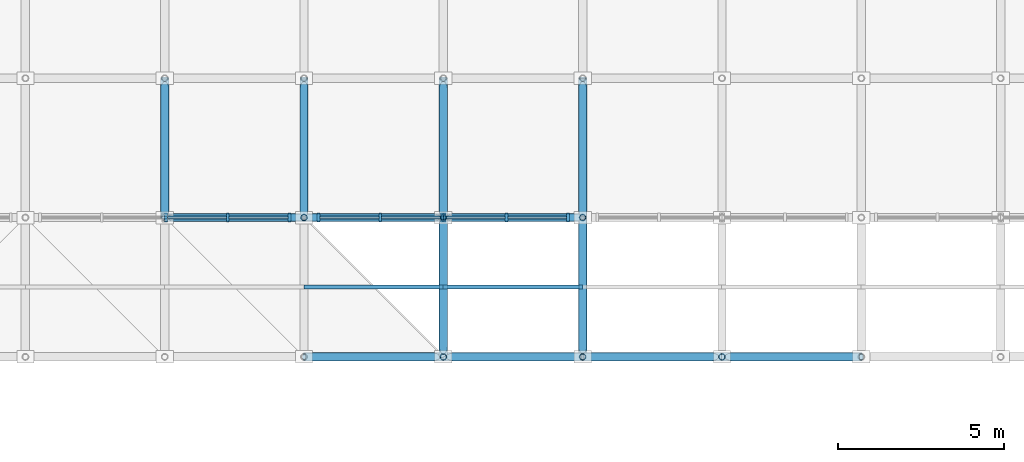
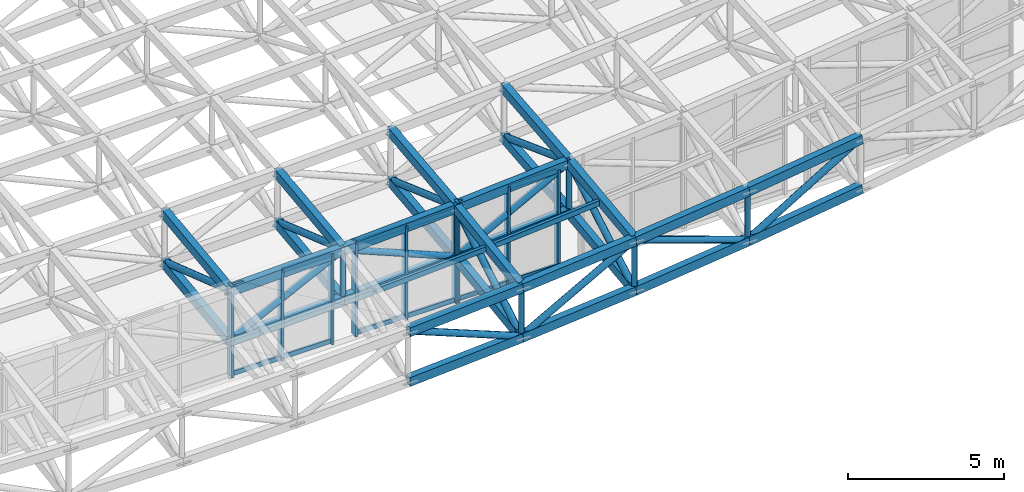
# One storey, part 40 of 111: 68 members, 3 elements without a shape of their own.
"""IFC4 building model written with IfcOpenShell, lengths in metres."""

from ifc_helpers import new_model, si_unit, direction, frame, origin, origin_2d, place, context, subcontext, project, spatial, rectangle, hollow_rectangle, hollow_circle, extrude, material, material_profile, profile_set, type_object, element, aggregate, save


model = new_model("IFC4")

# Units and contexts
model_context = context("Model", 3, precision=1e-05, world=origin(), true_north=direction((0.0, 1.0)))
body_context = subcontext(model_context, "Body", "Model", "MODEL_VIEW")
ifc_project = project(units=[si_unit("LENGTHUNIT", "METRE"), si_unit("AREAUNIT", "SQUARE_METRE"), si_unit("VOLUMEUNIT", "CUBIC_METRE"), si_unit("PLANEANGLEUNIT", "RADIAN"), si_unit("MASSUNIT", "GRAM", prefix="KILO")], contexts=[model_context])

# Site, building, storey
site_placement = place(None, origin())
site = spatial("IfcSite", under=ifc_project, at=site_placement, CompositionType="ELEMENT")
building_placement = place(site_placement, origin())
building = spatial("IfcBuilding", under=site, at=building_placement, Name="Cumbredor Promenade Congress Hotel", CompositionType="ELEMENT")
storey_placement = place(building_placement, frame((0.0, 0.0, 15.1201171875)))
storey = spatial("IfcBuildingStorey", under=building, at=storey_placement, Name="L04", CompositionType="ELEMENT", Elevation=15.1201171875)

# Curtain wall, members
ifc_material_1 = material(Name="Thermally broken anodized aluminium and low-E glass", Category="aluminium")
curtain_wall_type = type_object("IfcCurtainWallType", Name="Stepped Pavilion Clerestory Curtain Wall CW-06", PredefinedType="NOTDEFINED", material=ifc_material_1)
curtain_wall_1_placement = place(storey_placement, origin())
curtain_wall_1 = element("IfcCurtainWall", 1, at=curtain_wall_1_placement, inside=storey, type_object=curtain_wall_type, Name="Pre-Function and Breakout Meeting Forum S Glazed Clerestory 12", PredefinedType="NOTDEFINED")
ifc_material_2 = material(Name="Thermally broken anodized aluminium", Category="aluminium")
ifc_material_profile_1 = material_profile(ifc_material_2, rectangle(XDim=0.0849609375, YDim=0.260009765625, at=origin_2d()), Name="ALU MULLION CLERESTORY 85x260")
ifc_profile_set_1 = profile_set([ifc_material_profile_1], Name="Thermally broken anodized aluminium")
member_type_1 = type_object("IfcMemberType", Name="Curtain Wall Mullion ML-04", PredefinedType="MULLION", material=ifc_profile_set_1)
member_1_placement = place(storey_placement, frame((138.639892578125, 84.0, -0.01806640625), z_axis=(0.0, 0.0, 1.0), x_axis=(1.0, 0.0, 0.0)))
member_1 = element("IfcMember", 2, at=member_1_placement, type_object=member_type_1, Name="Pre-Function and Breakout Meeting Forum S Glazed Clerestory 12 Mullion 1", PredefinedType="MULLION", context=body_context, shape_type="SweptSolid", body=[
    extrude(rectangle(XDim=0.0849609375, YDim=0.260009765625, at=origin_2d()), origin(), (0.0, 0.0, 1.0), 3.5888671875),
])
member_2_placement = place(storey_placement, frame((140.5, 84.0, -0.01806640625), z_axis=(0.0, 0.0, 1.0), x_axis=(1.0, 0.0, 0.0)))
member_2 = element("IfcMember", 3, at=member_2_placement, type_object=member_type_1, Name="Pre-Function and Breakout Meeting Forum S Glazed Clerestory 12 Mullion 2", PredefinedType="MULLION", context=body_context, shape_type="SweptSolid", body=[
    extrude(rectangle(XDim=0.0849609375, YDim=0.260009765625, at=origin_2d()), origin(), (0.0, 0.0, 1.0), 3.5888671875),
])
member_3_placement = place(storey_placement, frame((142.360107421875, 84.0, -0.01806640625), z_axis=(0.0, 0.0, 1.0), x_axis=(1.0, 0.0, 0.0)))
member_3 = element("IfcMember", 4, at=member_3_placement, type_object=member_type_1, Name="Pre-Function and Breakout Meeting Forum S Glazed Clerestory 12 Mullion 3", PredefinedType="MULLION", context=body_context, shape_type="SweptSolid", body=[
    extrude(rectangle(XDim=0.0849609375, YDim=0.260009765625, at=origin_2d()), origin(), (0.0, 0.0, 1.0), 3.5888671875),
])

curtain_wall_2_placement = place(storey_placement, origin())
curtain_wall_2 = element("IfcCurtainWall", 5, at=curtain_wall_2_placement, inside=storey, type_object=curtain_wall_type, Name="Pre-Function and Breakout Meeting Forum S Glazed Clerestory 13", PredefinedType="NOTDEFINED")
member_4_placement = place(storey_placement, frame((143.239990234375, 84.0, -0.01806640625), z_axis=(0.0, 0.0, 1.0), x_axis=(1.0, 0.0, 0.0)))
member_4 = element("IfcMember", 6, at=member_4_placement, type_object=member_type_1, Name="Pre-Function and Breakout Meeting Forum S Glazed Clerestory 13 Mullion 1", PredefinedType="MULLION", context=body_context, shape_type="SweptSolid", body=[
    extrude(rectangle(XDim=0.0849609375, YDim=0.260009765625, at=origin_2d()), origin(), (0.0, 0.0, 1.0), 3.71533203125),
])
member_5_placement = place(storey_placement, frame((145.10009765625, 84.0, -0.01806640625), z_axis=(0.0, 0.0, 1.0), x_axis=(1.0, 0.0, 0.0)))
member_5 = element("IfcMember", 7, at=member_5_placement, type_object=member_type_1, Name="Pre-Function and Breakout Meeting Forum S Glazed Clerestory 13 Mullion 2", PredefinedType="MULLION", context=body_context, shape_type="SweptSolid", body=[
    extrude(rectangle(XDim=0.0849609375, YDim=0.260009765625, at=origin_2d()), origin(), (0.0, 0.0, 1.0), 3.71533203125),
])
member_6_placement = place(storey_placement, frame((146.9599609375, 84.0, -0.01806640625), z_axis=(0.0, 0.0, 1.0), x_axis=(1.0, 0.0, 0.0)))
member_6 = element("IfcMember", 8, at=member_6_placement, type_object=member_type_1, Name="Pre-Function and Breakout Meeting Forum S Glazed Clerestory 13 Mullion 3", PredefinedType="MULLION", context=body_context, shape_type="SweptSolid", body=[
    extrude(rectangle(XDim=0.0849609375, YDim=0.260009765625, at=origin_2d()), origin(), (0.0, 0.0, 1.0), 3.71533203125),
])

curtain_wall_3_placement = place(storey_placement, origin())
curtain_wall_3 = element("IfcCurtainWall", 9, at=curtain_wall_3_placement, inside=storey, type_object=curtain_wall_type, Name="Pre-Function and Breakout Meeting Forum S Glazed Clerestory 14", PredefinedType="NOTDEFINED")
member_7_placement = place(storey_placement, frame((147.0400390625, 84.0, -0.01806640625), z_axis=(0.0, 0.0, 1.0), x_axis=(1.0, 0.0, 0.0)))
member_7 = element("IfcMember", 10, at=member_7_placement, type_object=member_type_1, Name="Pre-Function and Breakout Meeting Forum S Glazed Clerestory 14 Mullion 1", PredefinedType="MULLION", context=body_context, shape_type="SweptSolid", body=[
    extrude(rectangle(XDim=0.0849609375, YDim=0.260009765625, at=origin_2d()), origin(), (0.0, 0.0, 1.0), 3.92626953125),
])
member_8_placement = place(storey_placement, frame((148.89990234375, 84.0, -0.01806640625), z_axis=(0.0, 0.0, 1.0), x_axis=(1.0, 0.0, 0.0)))
member_8 = element("IfcMember", 11, at=member_8_placement, type_object=member_type_1, Name="Pre-Function and Breakout Meeting Forum S Glazed Clerestory 14 Mullion 2", PredefinedType="MULLION", context=body_context, shape_type="SweptSolid", body=[
    extrude(rectangle(XDim=0.0849609375, YDim=0.260009765625, at=origin_2d()), origin(), (0.0, 0.0, 1.0), 3.92626953125),
])
member_9_placement = place(storey_placement, frame((150.760009765625, 84.0, -0.01806640625), z_axis=(0.0, 0.0, 1.0), x_axis=(1.0, 0.0, 0.0)))
member_9 = element("IfcMember", 12, at=member_9_placement, type_object=member_type_1, Name="Pre-Function and Breakout Meeting Forum S Glazed Clerestory 14 Mullion 3", PredefinedType="MULLION", context=body_context, shape_type="SweptSolid", body=[
    extrude(rectangle(XDim=0.0849609375, YDim=0.260009765625, at=origin_2d()), origin(), (0.0, 0.0, 1.0), 3.92626953125),
])

# Member
ifc_material_profile_2 = material_profile(ifc_material_2, rectangle(XDim=0.080078125, YDim=0.179931640625, at=origin_2d()), Name="ALU TRANSOM 80x180")
ifc_profile_set_2 = profile_set([ifc_material_profile_2], Name="Thermally broken anodized aluminium")
member_type_2 = type_object("IfcMemberType", Name="Curtain Wall Transom TR-03", PredefinedType="USERDEFINED", material=ifc_profile_set_2)
member_10_placement = place(storey_placement, frame((138.6826171875, 84.0, 0.079833984375), z_axis=(1.0, 0.0, 0.0), x_axis=(0.0, 1.0, 0.0)))
member_10 = element("IfcMember", 13, at=member_10_placement, type_object=member_type_2, Name="Pre-Function and Breakout Meeting Forum S Glazed Clerestory 12 Transom 1.1", ObjectType="TRANSOM", PredefinedType="USERDEFINED", context=body_context, shape_type="SweptSolid", body=[
    extrude(rectangle(XDim=0.080078125, YDim=0.179931640625, at=origin_2d()), origin(), (0.0, 0.0, 1.0), 1.77490234375),
])

member_11_placement = place(storey_placement, frame((138.6826171875, 84.0, 3.469970703125), z_axis=(1.0, 0.0, 0.0), x_axis=(0.0, 1.0, 0.0)))
member_11 = element("IfcMember", 14, at=member_11_placement, type_object=member_type_2, Name="Pre-Function and Breakout Meeting Forum S Glazed Clerestory 12 Transom 1.2", ObjectType="TRANSOM", PredefinedType="USERDEFINED", context=body_context, shape_type="SweptSolid", body=[
    extrude(rectangle(XDim=0.080078125, YDim=0.179931640625, at=origin_2d()), origin(), (0.0, 0.0, 1.0), 1.77490234375),
])

member_12_placement = place(storey_placement, frame((140.54248046875, 84.0, 0.079833984375), z_axis=(1.0, 0.0, 0.0), x_axis=(0.0, 1.0, 0.0)))
member_12 = element("IfcMember", 15, at=member_12_placement, type_object=member_type_2, Name="Pre-Function and Breakout Meeting Forum S Glazed Clerestory 12 Transom 2.1", ObjectType="TRANSOM", PredefinedType="USERDEFINED", context=body_context, shape_type="SweptSolid", body=[
    extrude(rectangle(XDim=0.080078125, YDim=0.179931640625, at=origin_2d()), origin(), (0.0, 0.0, 1.0), 1.77490234375),
])

member_13_placement = place(storey_placement, frame((140.54248046875, 84.0, 3.469970703125), z_axis=(1.0, 0.0, 0.0), x_axis=(0.0, 1.0, 0.0)))
member_13 = element("IfcMember", 16, at=member_13_placement, type_object=member_type_2, Name="Pre-Function and Breakout Meeting Forum S Glazed Clerestory 12 Transom 2.2", ObjectType="TRANSOM", PredefinedType="USERDEFINED", context=body_context, shape_type="SweptSolid", body=[
    extrude(rectangle(XDim=0.080078125, YDim=0.179931640625, at=origin_2d()), origin(), (0.0, 0.0, 1.0), 1.77490234375),
])

aggregate(curtain_wall_1, [member_1, member_2, member_3, member_10, member_11, member_12, member_13])

member_14_placement = place(storey_placement, frame((143.282470703125, 84.0, 0.079833984375), z_axis=(1.0, 0.0, 0.0), x_axis=(0.0, 1.0, 0.0)))
member_14 = element("IfcMember", 17, at=member_14_placement, type_object=member_type_2, Name="Pre-Function and Breakout Meeting Forum S Glazed Clerestory 13 Transom 1.1", ObjectType="TRANSOM", PredefinedType="USERDEFINED", context=body_context, shape_type="SweptSolid", body=[
    extrude(rectangle(XDim=0.080078125, YDim=0.179931640625, at=origin_2d()), origin(), (0.0, 0.0, 1.0), 1.775146484375),
])

member_15_placement = place(storey_placement, frame((143.282470703125, 84.0, 3.599853515625), z_axis=(1.0, 0.0, 0.0), x_axis=(0.0, 1.0, 0.0)))
member_15 = element("IfcMember", 18, at=member_15_placement, type_object=member_type_2, Name="Pre-Function and Breakout Meeting Forum S Glazed Clerestory 13 Transom 1.2", ObjectType="TRANSOM", PredefinedType="USERDEFINED", context=body_context, shape_type="SweptSolid", body=[
    extrude(rectangle(XDim=0.080078125, YDim=0.179931640625, at=origin_2d()), origin(), (0.0, 0.0, 1.0), 1.775146484375),
])

member_16_placement = place(storey_placement, frame((145.142578125, 84.0, 0.079833984375), z_axis=(1.0, 0.0, 0.0), x_axis=(0.0, 1.0, 0.0)))
member_16 = element("IfcMember", 19, at=member_16_placement, type_object=member_type_2, Name="Pre-Function and Breakout Meeting Forum S Glazed Clerestory 13 Transom 2.1", ObjectType="TRANSOM", PredefinedType="USERDEFINED", context=body_context, shape_type="SweptSolid", body=[
    extrude(rectangle(XDim=0.080078125, YDim=0.179931640625, at=origin_2d()), origin(), (0.0, 0.0, 1.0), 1.77490234375),
])

member_17_placement = place(storey_placement, frame((145.142578125, 84.0, 3.599853515625), z_axis=(1.0, 0.0, 0.0), x_axis=(0.0, 1.0, 0.0)))
member_17 = element("IfcMember", 20, at=member_17_placement, type_object=member_type_2, Name="Pre-Function and Breakout Meeting Forum S Glazed Clerestory 13 Transom 2.2", ObjectType="TRANSOM", PredefinedType="USERDEFINED", context=body_context, shape_type="SweptSolid", body=[
    extrude(rectangle(XDim=0.080078125, YDim=0.179931640625, at=origin_2d()), origin(), (0.0, 0.0, 1.0), 1.77490234375),
])

aggregate(curtain_wall_2, [member_4, member_5, member_6, member_14, member_15, member_16, member_17])

member_18_placement = place(storey_placement, frame((147.08251953125, 84.0, 0.079833984375), z_axis=(1.0, 0.0, 0.0), x_axis=(0.0, 1.0, 0.0)))
member_18 = element("IfcMember", 21, at=member_18_placement, type_object=member_type_2, Name="Pre-Function and Breakout Meeting Forum S Glazed Clerestory 14 Transom 1.1", ObjectType="TRANSOM", PredefinedType="USERDEFINED", context=body_context, shape_type="SweptSolid", body=[
    extrude(rectangle(XDim=0.080078125, YDim=0.179931640625, at=origin_2d()), origin(), (0.0, 0.0, 1.0), 1.77490234375),
])

member_19_placement = place(storey_placement, frame((147.08251953125, 84.0, 3.809814453125), z_axis=(1.0, 0.0, 0.0), x_axis=(0.0, 1.0, 0.0)))
member_19 = element("IfcMember", 22, at=member_19_placement, type_object=member_type_2, Name="Pre-Function and Breakout Meeting Forum S Glazed Clerestory 14 Transom 1.2", ObjectType="TRANSOM", PredefinedType="USERDEFINED", context=body_context, shape_type="SweptSolid", body=[
    extrude(rectangle(XDim=0.080078125, YDim=0.179931640625, at=origin_2d()), origin(), (0.0, 0.0, 1.0), 1.77490234375),
])

member_20_placement = place(storey_placement, frame((148.9423828125, 84.0, 0.079833984375), z_axis=(1.0, 0.0, 0.0), x_axis=(0.0, 1.0, 0.0)))
member_20 = element("IfcMember", 23, at=member_20_placement, type_object=member_type_2, Name="Pre-Function and Breakout Meeting Forum S Glazed Clerestory 14 Transom 2.1", ObjectType="TRANSOM", PredefinedType="USERDEFINED", context=body_context, shape_type="SweptSolid", body=[
    extrude(rectangle(XDim=0.080078125, YDim=0.179931640625, at=origin_2d()), origin(), (0.0, 0.0, 1.0), 1.775146484375),
])

member_21_placement = place(storey_placement, frame((148.9423828125, 84.0, 3.809814453125), z_axis=(1.0, 0.0, 0.0), x_axis=(0.0, 1.0, 0.0)))
member_21 = element("IfcMember", 24, at=member_21_placement, type_object=member_type_2, Name="Pre-Function and Breakout Meeting Forum S Glazed Clerestory 14 Transom 2.2", ObjectType="TRANSOM", PredefinedType="USERDEFINED", context=body_context, shape_type="SweptSolid", body=[
    extrude(rectangle(XDim=0.080078125, YDim=0.179931640625, at=origin_2d()), origin(), (0.0, 0.0, 1.0), 1.775146484375),
])

aggregate(curtain_wall_3, [member_7, member_8, member_9, member_18, member_19, member_20, member_21])

# Members
ifc_material_3 = material(Name="Steel ASTM A500 Grade C", Category="steel")
ifc_material_profile_3 = material_profile(ifc_material_3, hollow_rectangle(XDim=0.25, YDim=0.35009765625, WallThickness=0.01611328125, at=origin_2d()), Name="HSS 350x250x16")
ifc_profile_set_3 = profile_set([ifc_material_profile_3], Name="Steel ASTM A500 Grade C")
member_type_3 = type_object("IfcMemberType", Name="Forum Roof Truss Chord", PredefinedType="CHORD", material=ifc_profile_set_3)
for number, where, z_axis, x_axis, name in (
    (25, (142.800048828125, 79.800048828125, 2.85498046875), (0.998024259177, 0.0, 0.06282975485), (0.0, 1.0, 0.0), "Pre-Function and Breakout Meeting Forum X Top Chord 14.1"),
    (26, (142.800048828125, 79.800048828125, 0.905029296875), (0.998024259177, 0.0, 0.06282975485), (0.0, 1.0, 0.0), "Pre-Function and Breakout Meeting Forum X Bottom Chord 14.1"),
):
    element("IfcMember", number, at=place(storey_placement, frame(where, z_axis=z_axis, x_axis=x_axis)), inside=storey, type_object=member_type_3, Name=name, PredefinedType="CHORD", context=body_context, shape_type="SweptSolid", body=[
        extrude(hollow_rectangle(XDim=0.25, YDim=0.35009765625, WallThickness=0.01611328125, at=origin_2d()), origin(), (0.0, 0.0, 1.0), 4.208251953125),
    ])
for number, where, z_axis, x_axis, name in (
    (27, (147.0, 79.800048828125, 3.119384765625), (0.996134471083, 0.0, 0.087841422579), (0.0, 1.0, 0.0), "Pre-Function and Breakout Meeting Forum X Top Chord 15.1"),
    (28, (147.0, 79.800048828125, 1.16943359375), (0.996134471083, 0.0, 0.087841422579), (0.0, 1.0, 0.0), "Pre-Function and Breakout Meeting Forum X Bottom Chord 15.1"),
):
    element("IfcMember", number, at=place(storey_placement, frame(where, z_axis=z_axis, x_axis=x_axis)), inside=storey, type_object=member_type_3, Name=name, PredefinedType="CHORD", context=body_context, shape_type="SweptSolid", body=[
        extrude(hollow_rectangle(XDim=0.25, YDim=0.35009765625, WallThickness=0.01611328125, at=origin_2d()), origin(), (0.0, 0.0, 1.0), 4.21630859375),
    ])
for number, where, z_axis, x_axis, name in (
    (29, (151.199951171875, 79.800048828125, 3.48974609375), (0.993643341415, 0.0, 0.11257402037), (0.0, 1.0, 0.0), "Pre-Function and Breakout Meeting Forum X Top Chord 16.1"),
    (30, (151.199951171875, 79.800048828125, 1.539794921875), (0.993643341415, 0.0, 0.11257402037), (0.0, 1.0, 0.0), "Pre-Function and Breakout Meeting Forum X Bottom Chord 16.1"),
):
    element("IfcMember", number, at=place(storey_placement, frame(where, z_axis=z_axis, x_axis=x_axis)), inside=storey, type_object=member_type_3, Name=name, PredefinedType="CHORD", context=body_context, shape_type="SweptSolid", body=[
        extrude(hollow_rectangle(XDim=0.25, YDim=0.35009765625, WallThickness=0.01611328125, at=origin_2d()), origin(), (0.0, 0.0, 1.0), 4.226806640625),
    ])
for number, where, z_axis, x_axis, name in (
    (31, (155.39990234375, 79.800048828125, 3.965576171875), (0.990558409164, 0.0, 0.137091349234), (0.0, 1.0, 0.0), "Pre-Function and Breakout Meeting Forum X Top Chord 17.1"),
    (32, (155.39990234375, 79.800048828125, 2.015625), (0.990558409164, 0.0, 0.137091349234), (0.0, 1.0, 0.0), "Pre-Function and Breakout Meeting Forum X Bottom Chord 17.1"),
):
    element("IfcMember", number, at=place(storey_placement, frame(where, z_axis=z_axis, x_axis=x_axis)), inside=storey, type_object=member_type_3, Name=name, PredefinedType="CHORD", context=body_context, shape_type="SweptSolid", body=[
        extrude(hollow_rectangle(XDim=0.25, YDim=0.35009765625, WallThickness=0.01611328125, at=origin_2d()), origin(), (0.0, 0.0, 1.0), 4.240234375),
    ])
for number, where, z_axis, x_axis, name in (
    (33, (138.60009765625, 84.0, 3.36962890625), (0.999546971061, 0.0, 0.03009738598), (0.0, 1.0, 0.0), "Pre-Function and Breakout Meeting Forum X Top Chord 13.2"),
    (34, (138.60009765625, 84.0, 1.419677734375), (0.999546971061, 0.0, 0.03009738598), (0.0, 1.0, 0.0), "Pre-Function and Breakout Meeting Forum X Bottom Chord 13.2"),
):
    element("IfcMember", number, at=place(storey_placement, frame(where, z_axis=z_axis, x_axis=x_axis)), inside=storey, type_object=member_type_3, Name=name, PredefinedType="CHORD", context=body_context, shape_type="SweptSolid", body=[
        extrude(hollow_rectangle(XDim=0.25, YDim=0.35009765625, WallThickness=0.01611328125, at=origin_2d()), origin(), (0.0, 0.0, 1.0), 4.201904296875),
    ])
for number, where, z_axis, x_axis, name in (
    (35, (142.800048828125, 84.0, 3.49609375), (0.998741166039, 0.0, 0.050160574752), (0.0, 1.0, 0.0), "Pre-Function and Breakout Meeting Forum X Top Chord 14.2"),
    (36, (142.800048828125, 84.0, 1.546142578125), (0.998741166039, 0.0, 0.050160574752), (0.0, 1.0, 0.0), "Pre-Function and Breakout Meeting Forum X Bottom Chord 14.2"),
):
    element("IfcMember", number, at=place(storey_placement, frame(where, z_axis=z_axis, x_axis=x_axis)), inside=storey, type_object=member_type_3, Name=name, PredefinedType="CHORD", context=body_context, shape_type="SweptSolid", body=[
        extrude(hollow_rectangle(XDim=0.25, YDim=0.35009765625, WallThickness=0.01611328125, at=origin_2d()), origin(), (0.0, 0.0, 1.0), 4.205322265625),
    ])
for number, where, z_axis, x_axis, name in (
    (37, (147.0, 84.0, 3.70703125), (0.997535524008, 0.0, 0.070163226417), (0.0, 1.0, 0.0), "Pre-Function and Breakout Meeting Forum X Top Chord 15.2"),
    (38, (147.0, 84.0, 1.757080078125), (0.997535524008, 0.0, 0.070163226417), (0.0, 1.0, 0.0), "Pre-Function and Breakout Meeting Forum X Bottom Chord 15.2"),
):
    element("IfcMember", number, at=place(storey_placement, frame(where, z_axis=z_axis, x_axis=x_axis)), inside=storey, type_object=member_type_3, Name=name, PredefinedType="CHORD", context=body_context, shape_type="SweptSolid", body=[
        extrude(hollow_rectangle(XDim=0.25, YDim=0.35009765625, WallThickness=0.01611328125, at=origin_2d()), origin(), (0.0, 0.0, 1.0), 4.21044921875),
    ])
for number, where, z_axis, x_axis, name in (
    (39, (138.60009765625, 84.0, 3.36962890625), (0.0, 0.992273439136, 0.124070230052), (-1.0, 0.0, 0.0), "Pre-Function and Breakout Meeting Forum Y Top Chord 13.2"),
    (40, (138.60009765625, 84.0, 1.419677734375), (0.0, 0.992273439136, 0.124070230052), (-1.0, 0.0, 0.0), "Pre-Function and Breakout Meeting Forum Y Bottom Chord 13.2"),
):
    element("IfcMember", number, at=place(storey_placement, frame(where, z_axis=z_axis, x_axis=x_axis)), inside=storey, type_object=member_type_3, Name=name, PredefinedType="CHORD", context=body_context, shape_type="SweptSolid", body=[
        extrude(hollow_rectangle(XDim=0.25, YDim=0.35009765625, WallThickness=0.01611328125, at=origin_2d()), origin(), (0.0, 0.0, 1.0), 4.232666015625),
    ])
for number, where, z_axis, x_axis, name in (
    (41, (142.800048828125, 84.0, 3.49609375), (0.0, 0.99298811287, 0.118214244908), (-1.0, 0.0, 0.0), "Pre-Function and Breakout Meeting Forum Y Top Chord 14.2"),
    (42, (142.800048828125, 84.0, 1.546142578125), (0.0, 0.99298811287, 0.118214244908), (-1.0, 0.0, 0.0), "Pre-Function and Breakout Meeting Forum Y Bottom Chord 14.2"),
):
    element("IfcMember", number, at=place(storey_placement, frame(where, z_axis=z_axis, x_axis=x_axis)), inside=storey, type_object=member_type_3, Name=name, PredefinedType="CHORD", context=body_context, shape_type="SweptSolid", body=[
        extrude(hollow_rectangle(XDim=0.25, YDim=0.35009765625, WallThickness=0.01611328125, at=origin_2d()), origin(), (0.0, 0.0, 1.0), 4.2294921875),
    ])
for number, where, z_axis, x_axis, name in (
    (43, (147.0, 79.800048828125, 3.119384765625), (0.0, 0.990352968068, 0.138567668089), (-1.0, 0.0, 0.0), "Pre-Function and Breakout Meeting Forum Y Top Chord 15.1"),
    (44, (147.0, 79.800048828125, 1.16943359375), (0.0, 0.990352968068, 0.138567668089), (-1.0, 0.0, 0.0), "Pre-Function and Breakout Meeting Forum Y Bottom Chord 15.1"),
):
    element("IfcMember", number, at=place(storey_placement, frame(where, z_axis=z_axis, x_axis=x_axis)), inside=storey, type_object=member_type_3, Name=name, PredefinedType="CHORD", context=body_context, shape_type="SweptSolid", body=[
        extrude(hollow_rectangle(XDim=0.25, YDim=0.35009765625, WallThickness=0.01611328125, at=origin_2d()), origin(), (0.0, 0.0, 1.0), 4.240966796875),
    ])
for number, where, z_axis, x_axis, name in (
    (45, (147.0, 84.0, 3.70703125), (0.0, 0.994094018427, 0.10852226743), (-1.0, 0.0, 0.0), "Pre-Function and Breakout Meeting Forum Y Top Chord 15.2"),
    (46, (147.0, 84.0, 1.757080078125), (0.0, 0.994094018427, 0.10852226743), (-1.0, 0.0, 0.0), "Pre-Function and Breakout Meeting Forum Y Bottom Chord 15.2"),
):
    element("IfcMember", number, at=place(storey_placement, frame(where, z_axis=z_axis, x_axis=x_axis)), inside=storey, type_object=member_type_3, Name=name, PredefinedType="CHORD", context=body_context, shape_type="SweptSolid", body=[
        extrude(hollow_rectangle(XDim=0.25, YDim=0.35009765625, WallThickness=0.01611328125, at=origin_2d()), origin(), (0.0, 0.0, 1.0), 4.224853515625),
    ])
for number, where, z_axis, x_axis, name in (
    (47, (151.199951171875, 79.800048828125, 3.48974609375), (0.0, 0.992631496019, 0.121172245634), (-1.0, 0.0, 0.0), "Pre-Function and Breakout Meeting Forum Y Top Chord 16.1"),
    (48, (151.199951171875, 79.800048828125, 1.539794921875), (0.0, 0.992631496019, 0.121172245634), (-1.0, 0.0, 0.0), "Pre-Function and Breakout Meeting Forum Y Bottom Chord 16.1"),
):
    element("IfcMember", number, at=place(storey_placement, frame(where, z_axis=z_axis, x_axis=x_axis)), inside=storey, type_object=member_type_3, Name=name, PredefinedType="CHORD", context=body_context, shape_type="SweptSolid", body=[
        extrude(hollow_rectangle(XDim=0.25, YDim=0.35009765625, WallThickness=0.01611328125, at=origin_2d()), origin(), (0.0, 0.0, 1.0), 4.231201171875),
    ])
for number, where, z_axis, x_axis, name in (
    (49, (151.199951171875, 84.0, 4.00244140625), (0.0, 0.99549755299, 0.094787245934), (-1.0, 0.0, 0.0), "Pre-Function and Breakout Meeting Forum Y Top Chord 16.2"),
    (50, (151.199951171875, 84.0, 2.052490234375), (0.0, 0.99549755299, 0.094787245934), (-1.0, 0.0, 0.0), "Pre-Function and Breakout Meeting Forum Y Bottom Chord 16.2"),
):
    element("IfcMember", number, at=place(storey_placement, frame(where, z_axis=z_axis, x_axis=x_axis)), inside=storey, type_object=member_type_3, Name=name, PredefinedType="CHORD", context=body_context, shape_type="SweptSolid", body=[
        extrude(hollow_rectangle(XDim=0.25, YDim=0.35009765625, WallThickness=0.01611328125, at=origin_2d()), origin(), (0.0, 0.0, 1.0), 4.218994140625),
    ])
ifc_material_profile_4 = material_profile(ifc_material_3, hollow_rectangle(XDim=0.1201171875, YDim=0.199951171875, WallThickness=0.010009765625, at=origin_2d()), Name="HSS 200x120x10")
ifc_profile_set_4 = profile_set([ifc_material_profile_4], Name="Steel ASTM A500 Grade C")
member_type_4 = type_object("IfcMemberType", Name="Roof Purlin HSS200x120", PredefinedType="PURLIN", material=ifc_profile_set_4)
member_22_placement = place(storey_placement, frame((142.800048828125, 81.89990234375, 3.155517578125), z_axis=(0.998401042431, 0.0, 0.056527501908), x_axis=(0.0, 1.0, 0.0)))
element("IfcMember", 51, at=member_22_placement, inside=storey, type_object=member_type_4, Name="Pre-Function and Breakout Meeting Forum Roof Eave Purlin 14.1", PredefinedType="PURLIN", context=body_context, shape_type="SweptSolid", body=[
    extrude(hollow_rectangle(XDim=0.1201171875, YDim=0.199951171875, WallThickness=0.010009765625, at=origin_2d()), origin(), (0.0, 0.0, 1.0), 4.206787109375),
])
member_23_placement = place(storey_placement, frame((147.0, 81.89990234375, 3.393310546875), z_axis=(0.996875975004, 0.0, 0.07898284915), x_axis=(0.0, 1.0, 0.0)))
element("IfcMember", 52, at=member_23_placement, inside=storey, type_object=member_type_4, Name="Pre-Function and Breakout Meeting Forum Roof Eave Purlin 15.1", PredefinedType="PURLIN", context=body_context, shape_type="SweptSolid", body=[
    extrude(hollow_rectangle(XDim=0.1201171875, YDim=0.199951171875, WallThickness=0.010009765625, at=origin_2d()), origin(), (0.0, 0.0, 1.0), 4.213134765625),
])
ifc_material_profile_5 = material_profile(ifc_material_3, hollow_circle(Radius=0.122314453125, WallThickness=0.012451171875, at=origin_2d()), Name="CHS 244.5x12.5")
ifc_profile_set_5 = profile_set([ifc_material_profile_5], Name="Steel ASTM A500 Grade C")
member_type_5 = type_object("IfcMemberType", Name="Space Frame Web Diagonal D2", PredefinedType="BRACE", material=ifc_profile_set_5)
member_24_placement = place(storey_placement, frame((142.800048828125, 79.800048828125, 2.85498046875), z_axis=(0.928051949605, 0.0, -0.372450773706), x_axis=(0.0, 1.0, 0.0)))
element("IfcMember", 53, at=member_24_placement, inside=storey, type_object=member_type_5, Name="Pre-Function and Breakout Meeting Forum X Web Diagonal 14.1", PredefinedType="BRACE", context=body_context, shape_type="SweptSolid", body=[
    extrude(hollow_circle(Radius=0.122314453125, WallThickness=0.012451171875, at=origin_2d()), origin(), (0.0, 0.0, 1.0), 4.525634765625),
])
member_25_placement = place(storey_placement, frame((147.0, 79.800048828125, 1.16943359375), z_axis=(0.875304447621, 0.0, 0.483572253107), x_axis=(0.0, 1.0, 0.0)))
element("IfcMember", 54, at=member_25_placement, inside=storey, type_object=member_type_5, Name="Pre-Function and Breakout Meeting Forum X Web Diagonal 15.1", PredefinedType="BRACE", context=body_context, shape_type="SweptSolid", body=[
    extrude(hollow_circle(Radius=0.122314453125, WallThickness=0.012451171875, at=origin_2d()), origin(), (0.0, 0.0, 1.0), 4.79833984375),
])
member_26_placement = place(storey_placement, frame((151.199951171875, 79.800048828125, 3.48974609375), z_axis=(0.943568111505, 0.0, -0.33117853033), x_axis=(0.0, 1.0, 0.0)))
element("IfcMember", 55, at=member_26_placement, inside=storey, type_object=member_type_5, Name="Pre-Function and Breakout Meeting Forum X Web Diagonal 16.1", PredefinedType="BRACE", context=body_context, shape_type="SweptSolid", body=[
    extrude(hollow_circle(Radius=0.122314453125, WallThickness=0.012451171875, at=origin_2d()), origin(), (0.0, 0.0, 1.0), 4.451171875),
])
member_27_placement = place(storey_placement, frame((155.39990234375, 79.800048828125, 2.015625), z_axis=(0.856489757249, 0.0, 0.516164020179), x_axis=(0.0, 1.0, 0.0)))
element("IfcMember", 56, at=member_27_placement, inside=storey, type_object=member_type_5, Name="Pre-Function and Breakout Meeting Forum X Web Diagonal 17.1", PredefinedType="BRACE", context=body_context, shape_type="SweptSolid", body=[
    extrude(hollow_circle(Radius=0.122314453125, WallThickness=0.012451171875, at=origin_2d()), origin(), (0.0, 0.0, 1.0), 4.904052734375),
])
member_28_placement = place(storey_placement, frame((138.60009765625, 84.0, 1.419677734375), z_axis=(0.89642954825, 0.0, 0.443186264481), x_axis=(0.0, 1.0, 0.0)))
element("IfcMember", 57, at=member_28_placement, inside=storey, type_object=member_type_5, Name="Pre-Function and Breakout Meeting Forum X Web Diagonal 13.2", PredefinedType="BRACE", context=body_context, shape_type="SweptSolid", body=[
    extrude(hollow_circle(Radius=0.122314453125, WallThickness=0.012451171875, at=origin_2d()), origin(), (0.0, 0.0, 1.0), 4.685302734375),
])
member_29_placement = place(storey_placement, frame((142.800048828125, 84.0, 3.49609375), z_axis=(0.923931095215, 0.0, -0.382558925258), x_axis=(0.0, 1.0, 0.0)))
element("IfcMember", 58, at=member_29_placement, inside=storey, type_object=member_type_5, Name="Pre-Function and Breakout Meeting Forum X Web Diagonal 14.2", PredefinedType="BRACE", context=body_context, shape_type="SweptSolid", body=[
    extrude(hollow_circle(Radius=0.122314453125, WallThickness=0.012451171875, at=origin_2d()), origin(), (0.0, 0.0, 1.0), 4.545654296875),
])
member_30_placement = place(storey_placement, frame((147.0, 84.0, 1.757080078125), z_axis=(0.881882794883, 0.0, 0.471468701072), x_axis=(0.0, 1.0, 0.0)))
element("IfcMember", 59, at=member_30_placement, inside=storey, type_object=member_type_5, Name="Pre-Function and Breakout Meeting Forum X Web Diagonal 15.2", PredefinedType="BRACE", context=body_context, shape_type="SweptSolid", body=[
    extrude(hollow_circle(Radius=0.122314453125, WallThickness=0.012451171875, at=origin_2d()), origin(), (0.0, 0.0, 1.0), 4.762451171875),
])
member_31_placement = place(storey_placement, frame((138.60009765625, 84.0, 3.36962890625), z_axis=(0.0, 0.946990962251, -0.32126020204), x_axis=(-1.0, 0.0, 0.0)))
element("IfcMember", 60, at=member_31_placement, inside=storey, type_object=member_type_5, Name="Pre-Function and Breakout Meeting Forum Y Web Diagonal 13.2", PredefinedType="BRACE", context=body_context, shape_type="SweptSolid", body=[
    extrude(hollow_circle(Radius=0.122314453125, WallThickness=0.012451171875, at=origin_2d()), origin(), (0.0, 0.0, 1.0), 4.43505859375),
])
member_32_placement = place(storey_placement, frame((142.800048828125, 84.0, 3.49609375), z_axis=(0.0, 0.945255551873, -0.326331030784), x_axis=(-1.0, 0.0, 0.0)))
element("IfcMember", 61, at=member_32_placement, inside=storey, type_object=member_type_5, Name="Pre-Function and Breakout Meeting Forum Y Web Diagonal 14.2", PredefinedType="BRACE", context=body_context, shape_type="SweptSolid", body=[
    extrude(hollow_circle(Radius=0.122314453125, WallThickness=0.012451171875, at=origin_2d()), origin(), (0.0, 0.0, 1.0), 4.443115234375),
])
member_33_placement = place(storey_placement, frame((147.0, 79.800048828125, 1.16943359375), z_axis=(0.0, 0.8559040724, 0.517134623526), x_axis=(-1.0, 0.0, 0.0)))
element("IfcMember", 62, at=member_33_placement, inside=storey, type_object=member_type_5, Name="Pre-Function and Breakout Meeting Forum Y Web Diagonal 15.1", PredefinedType="BRACE", context=body_context, shape_type="SweptSolid", body=[
    extrude(hollow_circle(Radius=0.122314453125, WallThickness=0.012451171875, at=origin_2d()), origin(), (0.0, 0.0, 1.0), 4.906982421875),
])
member_34_placement = place(storey_placement, frame((147.0, 84.0, 3.70703125), z_axis=(0.0, 0.942346411237, -0.334638971473), x_axis=(-1.0, 0.0, 0.0)))
element("IfcMember", 63, at=member_34_placement, inside=storey, type_object=member_type_5, Name="Pre-Function and Breakout Meeting Forum Y Web Diagonal 15.2", PredefinedType="BRACE", context=body_context, shape_type="SweptSolid", body=[
    extrude(hollow_circle(Radius=0.122314453125, WallThickness=0.012451171875, at=origin_2d()), origin(), (0.0, 0.0, 1.0), 4.456787109375),
])
member_35_placement = place(storey_placement, frame((151.199951171875, 79.800048828125, 1.539794921875), z_axis=(0.0, 0.862643648817, 0.505812154021), x_axis=(-1.0, 0.0, 0.0)))
element("IfcMember", 64, at=member_35_placement, inside=storey, type_object=member_type_5, Name="Pre-Function and Breakout Meeting Forum Y Web Diagonal 16.1", PredefinedType="BRACE", context=body_context, shape_type="SweptSolid", body=[
    extrude(hollow_circle(Radius=0.122314453125, WallThickness=0.012451171875, at=origin_2d()), origin(), (0.0, 0.0, 1.0), 4.86865234375),
])
member_36_placement = place(storey_placement, frame((151.199951171875, 84.0, 4.00244140625), z_axis=(0.0, 0.938147442596, -0.346236011919), x_axis=(-1.0, 0.0, 0.0)))
element("IfcMember", 65, at=member_36_placement, inside=storey, type_object=member_type_5, Name="Pre-Function and Breakout Meeting Forum Y Web Diagonal 16.2", PredefinedType="BRACE", context=body_context, shape_type="SweptSolid", body=[
    extrude(hollow_circle(Radius=0.122314453125, WallThickness=0.012451171875, at=origin_2d()), origin(), (0.0, 0.0, 1.0), 4.476806640625),
])
ifc_material_profile_6 = material_profile(ifc_material_3, hollow_circle(Radius=0.096923828125, WallThickness=0.010009765625, at=origin_2d()), Name="CHS 193.7x10")
ifc_profile_set_6 = profile_set([ifc_material_profile_6], Name="Steel ASTM A500 Grade C")
member_type_6 = type_object("IfcMemberType", Name="Space Frame Web Post P1", PredefinedType="BRACE", material=ifc_profile_set_6)
for number, where, z_axis, x_axis, name in (
    (66, (142.800048828125, 84.0, 1.546142578125), (0.0, 0.0, 1.0), (1.0, 0.0, 0.0), "Pre-Function and Breakout Meeting Forum Space Frame Web Post 14.2"),
    (67, (147.0, 79.800048828125, 1.16943359375), (0.0, 0.0, 1.0), (1.0, 0.0, 0.0), "Pre-Function and Breakout Meeting Forum Space Frame Web Post 15.1"),
    (68, (147.0, 84.0, 1.757080078125), (0.0, 0.0, 1.0), (1.0, 0.0, 0.0), "Pre-Function and Breakout Meeting Forum Space Frame Web Post 15.2"),
    (69, (151.199951171875, 79.800048828125, 1.539794921875), (0.0, 0.0, 1.0), (1.0, 0.0, 0.0), "Pre-Function and Breakout Meeting Forum Space Frame Web Post 16.1"),
    (70, (151.199951171875, 84.0, 2.052490234375), (0.0, 0.0, 1.0), (1.0, 0.0, 0.0), "Pre-Function and Breakout Meeting Forum Space Frame Web Post 16.2"),
    (71, (155.39990234375, 79.800048828125, 2.015625), (0.0, 0.0, 1.0), (1.0, 0.0, 0.0), "Pre-Function and Breakout Meeting Forum Space Frame Web Post 17.1"),
):
    element("IfcMember", number, at=place(storey_placement, frame(where, z_axis=z_axis, x_axis=x_axis)), inside=storey, type_object=member_type_6, Name=name, PredefinedType="BRACE", context=body_context, shape_type="SweptSolid", body=[
        extrude(hollow_circle(Radius=0.096923828125, WallThickness=0.010009765625, at=origin_2d()), origin(), (0.0, 0.0, 1.0), 1.949951171875),
    ])

save(model, "model.ifc")
